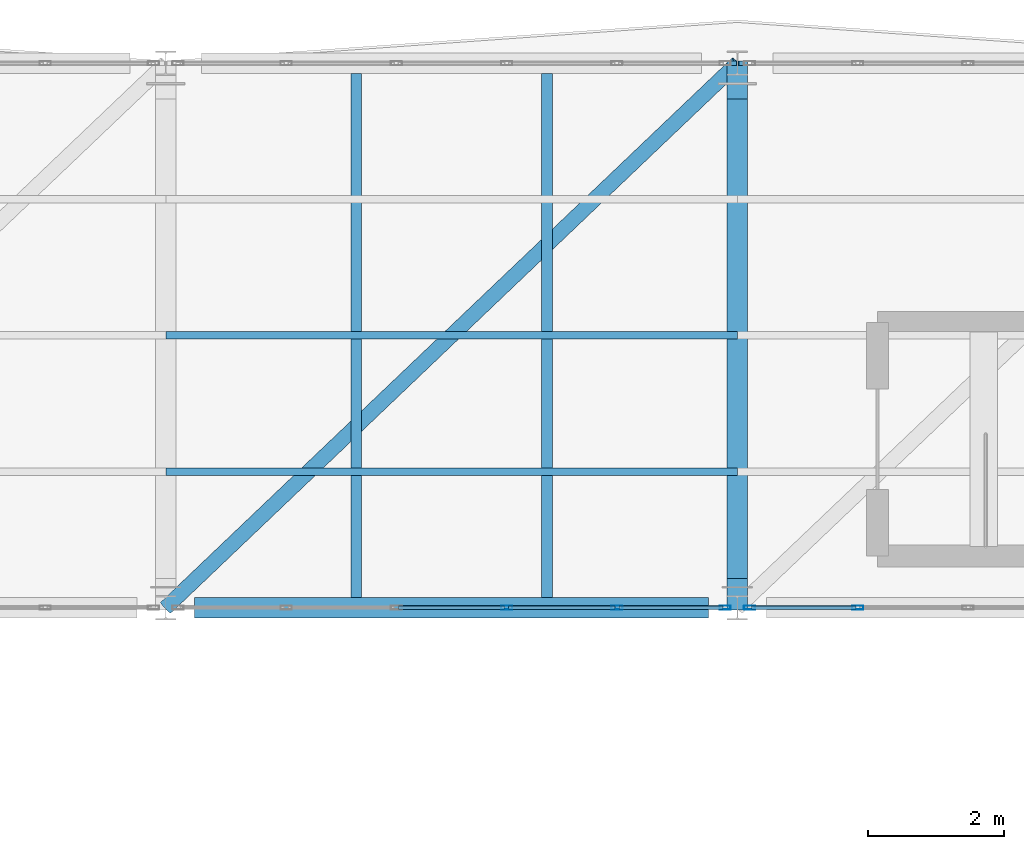
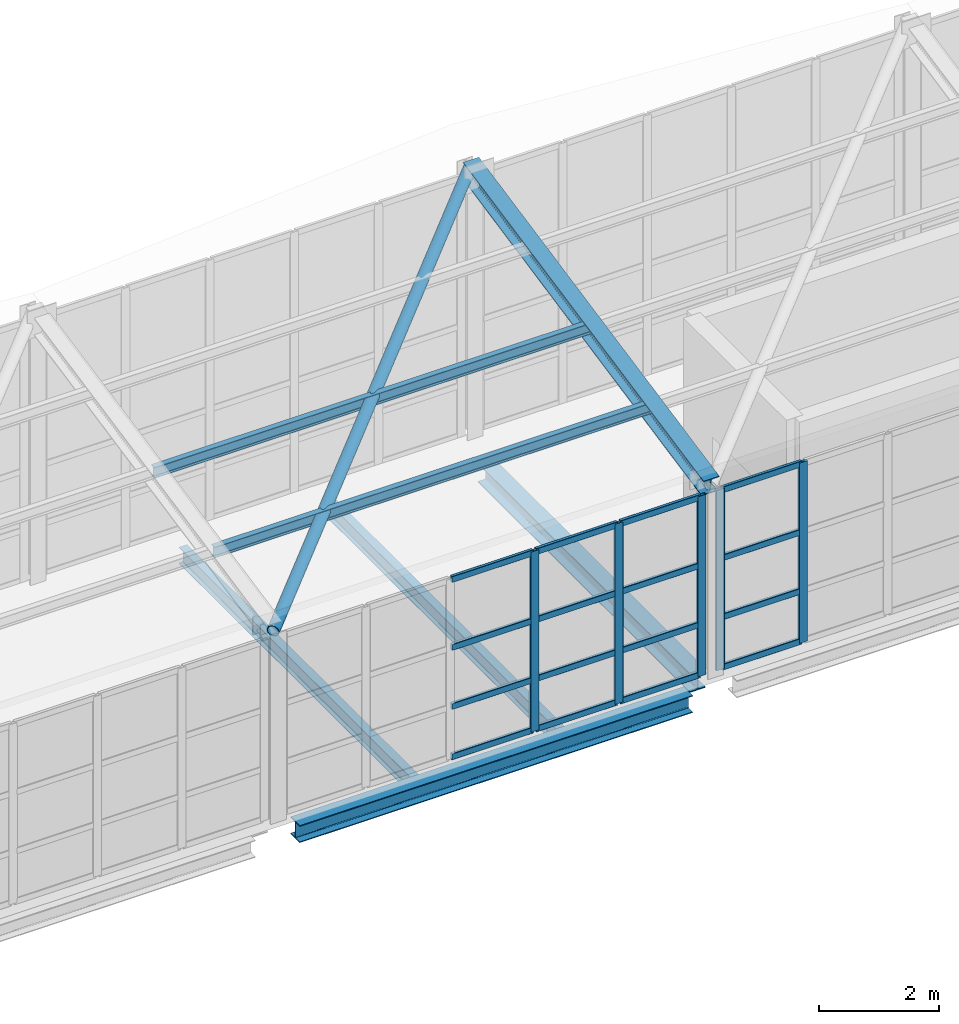
# One storey, part 107 of 177: 25 members, 4 beams, 2 elements without a shape of their own.
"""IFC4 building model written with IfcOpenShell, lengths in metres."""

from ifc_helpers import new_model, si_unit, direction, frame, origin, origin_2d, place, context, subcontext, project, spatial, hollow_rectangle, hollow_circle, i_section, extrude, material, layer, layer_set, material_profile, profile_set, type_object, element, aggregate, save


model = new_model("IFC4")

# Units and contexts
model_context = context("Model", 3, precision=1e-05, world=origin(), true_north=direction((0.0, 1.0)))
body_context = subcontext(model_context, "Body", "Model", "MODEL_VIEW")
ifc_project = project(units=[si_unit("LENGTHUNIT", "METRE"), si_unit("AREAUNIT", "SQUARE_METRE"), si_unit("VOLUMEUNIT", "CUBIC_METRE"), si_unit("PLANEANGLEUNIT", "RADIAN"), si_unit("MASSUNIT", "GRAM", prefix="KILO"), si_unit("THERMODYNAMICTEMPERATUREUNIT", "KELVIN"), si_unit("POWERUNIT", "WATT")], contexts=[model_context])

# Site, building, storey
site_placement = place(None, origin())
site = spatial("IfcSite", under=ifc_project, at=site_placement, CompositionType="ELEMENT")
building_placement = place(site_placement, origin())
building = spatial("IfcBuilding", under=site, at=building_placement, Name="Mavoryth Pier Ferry Terminal", CompositionType="ELEMENT")
storey_placement = place(building_placement, frame((0.0, 0.0, 5.43994140625)))
storey = spatial("IfcBuildingStorey", under=building, at=storey_placement, Name="L01", CompositionType="ELEMENT", Elevation=5.43994140625)

# Beam
ifc_material_1 = material(Name="Steel S355J2", Category="steel")
ifc_material_profile_1 = material_profile(ifc_material_1, i_section(OverallWidth=0.300048828125, OverallDepth=0.389892578125, WebThickness=0.010986328125, FlangeThickness=0.01904296875, FilletRadius=0.027099609375, at=origin_2d()), Name="HEA 400", Category="steel")
ifc_profile_set_1 = profile_set([ifc_material_profile_1], Name="Steel S355J2 - HEA 400")
beam_type_1 = type_object("IfcBeamType", Name="Beam-Steel-HEA400", PredefinedType="BEAM", material=ifc_profile_set_1)
beam_1_placement = place(storey_placement, frame((126.0, 106.425048828125, -0.43505859375), z_axis=(0.0, 1.0, 0.0), x_axis=(-1.0, 0.0, 0.0)))
element("IfcBeam", 1, at=beam_1_placement, inside=storey, type_object=beam_type_1, Name="Beam B01-SB04-0287", PredefinedType="BEAM", context=body_context, shape_type="SweptSolid", body=[
    extrude(i_section(OverallWidth=0.300048828125, OverallDepth=0.389892578125, WebThickness=0.010986328125, FlangeThickness=0.01904296875, FilletRadius=0.027099609375, at=origin_2d()), origin(), (0.0, 0.0, 1.0), 7.050048828125),
])

# Member
ifc_material_profile_2 = material_profile(ifc_material_1, hollow_circle(Radius=0.109619140625, WallThickness=0.010009765625, at=origin_2d()), Name="CHS 219.1x10.0", Category="steel")
ifc_profile_set_2 = profile_set([ifc_material_profile_2], Name="Steel S355J2 - CHS 219.1x10.0")
member_type_1 = type_object("IfcMemberType", Name="Brace-Diag-CHS219", PredefinedType="BRACE", material=ifc_profile_set_2)
member_1_placement = place(storey_placement, frame((117.60009765625, 106.0, 3.771240234375), z_axis=(0.717108654399, 0.682968563255, 0.138957257423), x_axis=(-0.689659376744, 0.724133926887, 0.0)))
element("IfcMember", 2, at=member_1_placement, inside=storey, type_object=member_type_1, Name="Steel Member MB-L01-0285", PredefinedType="BRACE", context=body_context, shape_type="SweptSolid", body=[
    extrude(hollow_circle(Radius=0.109619140625, WallThickness=0.010009765625, at=origin_2d()), origin(), (0.0, 0.0, 1.0), 11.713623046875),
])

# Beams
ifc_material_profile_3 = material_profile(ifc_material_1, i_section(OverallWidth=0.159912109375, OverallDepth=0.330078125, WebThickness=0.007568359375, FlangeThickness=0.011474609375, FilletRadius=0.01806640625, at=origin_2d()), Name="IPE 330", Category="steel")
ifc_profile_set_3 = profile_set([ifc_material_profile_3], Name="Steel S355J2 - IPE 330")
beam_type_2 = type_object("IfcBeamType", Name="Joist-Steel-IPE330", PredefinedType="JOIST", material=ifc_profile_set_3)
for number, where, z_axis, x_axis, name in (
    (3, (120.39990234375, 106.14990234375, -0.405029296875), (0.0, 1.0, 0.0), (-1.0, 0.0, 0.0), "Beam B01-SJ03-0305"),
    (4, (123.199951171875, 106.14990234375, -0.405029296875), (0.0, 1.0, 0.0), (-1.0, 0.0, 0.0), "Beam B01-SJ03-0306"),
):
    element("IfcBeam", number, at=place(storey_placement, frame(where, z_axis=z_axis, x_axis=x_axis)), inside=storey, type_object=beam_type_2, Name=name, PredefinedType="JOIST", context=body_context, shape_type="SweptSolid", body=[
        extrude(i_section(OverallWidth=0.159912109375, OverallDepth=0.330078125, WebThickness=0.007568359375, FlangeThickness=0.011474609375, FilletRadius=0.01806640625, at=origin_2d()), origin(), (0.0, 0.0, 1.0), 7.7001953125),
    ])

# Curtain wall, members
ifc_material_2 = material(Name="Anodised Aluminium and Solar-Control Low-E Glass", Category="aluminium")
ifc_layer = layer(ifc_material_2, 0.139892578125, Name="Anodised Aluminium and Solar-Control Low-E Glass", Category="aluminium")
ifc_layer_set = layer_set([ifc_layer], Name="Anodised Aluminium and Solar-Control Low-E Glass - CW-Gallery-Mod1600")
curtain_wall_type = type_object("IfcCurtainWallType", Name="CW-Gallery-Mod1600", PredefinedType="USERDEFINED", material=ifc_layer_set)
curtain_wall_1_placement = place(storey_placement, origin())
curtain_wall_1 = element("IfcCurtainWall", 5, at=curtain_wall_1_placement, inside=storey, type_object=curtain_wall_type, Name="Curtain Wall CW-0122-089", ObjectType="UNITISED CURTAIN WALL", PredefinedType="USERDEFINED")
ifc_material_3 = material(Name="Anodised Aluminium EN AW-6063", Category="aluminium")
ifc_material_profile_4 = material_profile(ifc_material_3, hollow_rectangle(XDim=0.06005859375, YDim=0.1650390625, WallThickness=0.00390625, InnerFilletRadius=0.00390625, OuterFilletRadius=0.008056640625, at=origin_2d()), Name="AL-MULL 165x60x4", Category="aluminium")
ifc_profile_set_4 = profile_set([ifc_material_profile_4], Name="Anodised Aluminium EN AW-6063 - AL-MULL 165x60x4")
member_type_2 = type_object("IfcMemberType", Name="Mullion-Alum-165x60", PredefinedType="MULLION", material=ifc_profile_set_4)
member_2_placement = place(storey_placement, frame((122.610107421875, 106.0, 0.0), z_axis=(0.0, 0.0, 1.0), x_axis=(0.0, 1.0, 0.0)))
member_2 = element("IfcMember", 6, at=member_2_placement, type_object=member_type_2, Name="CW05 mullion 4", PredefinedType="MULLION", context=body_context, shape_type="SweptSolid", body=[
    extrude(hollow_rectangle(XDim=0.06005859375, YDim=0.1650390625, WallThickness=0.00390625, InnerFilletRadius=0.00390625, OuterFilletRadius=0.008056640625, at=origin_2d()), origin(), (0.0, 0.0, 1.0), 3.66015625),
])
member_3_placement = place(storey_placement, frame((124.22998046875, 106.0, 0.0), z_axis=(0.0, 0.0, 1.0), x_axis=(0.0, 1.0, 0.0)))
member_3 = element("IfcMember", 7, at=member_3_placement, type_object=member_type_2, Name="CW05 mullion 5", PredefinedType="MULLION", context=body_context, shape_type="SweptSolid", body=[
    extrude(hollow_rectangle(XDim=0.06005859375, YDim=0.1650390625, WallThickness=0.00390625, InnerFilletRadius=0.00390625, OuterFilletRadius=0.008056640625, at=origin_2d()), origin(), (0.0, 0.0, 1.0), 3.66015625),
])
member_4_placement = place(storey_placement, frame((125.820068359375, 106.0, 0.0), z_axis=(0.0, 0.0, 1.0), x_axis=(0.0, 1.0, 0.0)))
member_4 = element("IfcMember", 8, at=member_4_placement, type_object=member_type_2, Name="CW05 mullion 6", PredefinedType="MULLION", context=body_context, shape_type="SweptSolid", body=[
    extrude(hollow_rectangle(XDim=0.06005859375, YDim=0.1650390625, WallThickness=0.00390625, InnerFilletRadius=0.00390625, OuterFilletRadius=0.008056640625, at=origin_2d()), origin(), (0.0, 0.0, 1.0), 3.66015625),
])

curtain_wall_2_placement = place(storey_placement, origin())
curtain_wall_2 = element("IfcCurtainWall", 9, at=curtain_wall_2_placement, inside=storey, type_object=curtain_wall_type, Name="Curtain Wall CW-0122-091", ObjectType="UNITISED CURTAIN WALL", PredefinedType="USERDEFINED")
member_5_placement = place(storey_placement, frame((126.179931640625, 106.0, 0.0), z_axis=(0.0, 0.0, 1.0), x_axis=(0.0, 1.0, 0.0)))
member_5 = element("IfcMember", 10, at=member_5_placement, type_object=member_type_2, Name="CW05 mullion 1", PredefinedType="MULLION", context=body_context, shape_type="SweptSolid", body=[
    extrude(hollow_rectangle(XDim=0.06005859375, YDim=0.1650390625, WallThickness=0.00390625, InnerFilletRadius=0.00390625, OuterFilletRadius=0.008056640625, at=origin_2d()), origin(), (0.0, 0.0, 1.0), 3.66015625),
])
member_6_placement = place(storey_placement, frame((127.77001953125, 106.0, 0.0), z_axis=(0.0, 0.0, 1.0), x_axis=(0.0, 1.0, 0.0)))
member_6 = element("IfcMember", 11, at=member_6_placement, type_object=member_type_2, Name="CW05 mullion 2", PredefinedType="MULLION", context=body_context, shape_type="SweptSolid", body=[
    extrude(hollow_rectangle(XDim=0.06005859375, YDim=0.1650390625, WallThickness=0.00390625, InnerFilletRadius=0.00390625, OuterFilletRadius=0.008056640625, at=origin_2d()), origin(), (0.0, 0.0, 1.0), 3.66015625),
])

# Members
ifc_material_profile_5 = material_profile(ifc_material_1, i_section(OverallWidth=0.110107421875, OverallDepth=0.219970703125, WebThickness=0.005859375, FlangeThickness=0.00927734375, FilletRadius=0.011962890625, at=origin_2d()), Name="IPE 220", Category="steel")
ifc_profile_set_5 = profile_set([ifc_material_profile_5], Name="Steel S355J2 - IPE 220")
member_type_3 = type_object("IfcMemberType", Name="Purlin-Roof-IPE220", PredefinedType="PURLIN", material=ifc_profile_set_5)
for number, where, z_axis, x_axis, name in (
    (12, (117.60009765625, 108.0, 4.17822265625), (1.0, 0.0, 0.0), (0.0, 1.0, 0.0), "Steel Member MB-L01-0282"),
    (13, (117.60009765625, 110.0, 4.5849609375), (1.0, 0.0, 0.0), (0.0, 1.0, 0.0), "Steel Member MB-L01-0283"),
):
    element("IfcMember", number, at=place(storey_placement, frame(where, z_axis=z_axis, x_axis=x_axis)), inside=storey, type_object=member_type_3, Name=name, PredefinedType="PURLIN", context=body_context, shape_type="SweptSolid", body=[
        extrude(i_section(OverallWidth=0.110107421875, OverallDepth=0.219970703125, WebThickness=0.005859375, FlangeThickness=0.00927734375, FilletRadius=0.011962890625, at=origin_2d()), origin(), (0.0, 0.0, 1.0), 8.39990234375),
    ])
ifc_material_profile_6 = material_profile(ifc_material_1, i_section(OverallWidth=0.300048828125, OverallDepth=0.35009765625, WebThickness=0.010009765625, FlangeThickness=0.017578125, FilletRadius=0.027099609375, at=origin_2d()), Name="HEA 360", Category="steel")
ifc_profile_set_6 = profile_set([ifc_material_profile_6], Name="Steel S355J2 - HEA 360")
member_type_4 = type_object("IfcMemberType", Name="Rafter-Gallery-HEA360", PredefinedType="RAFTER", material=ifc_profile_set_6)
member_7_placement = place(storey_placement, frame((126.0, 106.0, 3.771240234375), z_axis=(0.0, 0.979923097627, 0.199375832882), x_axis=(-1.0, 0.0, 0.0)))
element("IfcMember", 14, at=member_7_placement, inside=storey, type_object=member_type_4, Name="Steel Member MB-L01-0246", PredefinedType="RAFTER", context=body_context, shape_type="SweptSolid", body=[
    extrude(i_section(OverallWidth=0.300048828125, OverallDepth=0.35009765625, WebThickness=0.010009765625, FlangeThickness=0.017578125, FilletRadius=0.027099609375, at=origin_2d()), origin(), (0.0, 0.0, 1.0), 8.163818359375),
])

# Beam
ifc_material_profile_7 = material_profile(ifc_material_1, i_section(OverallWidth=0.300048828125, OverallDepth=0.35009765625, WebThickness=0.010009765625, FlangeThickness=0.017578125, FilletRadius=0.027099609375, at=origin_2d()), Name="HEA 360", Category="steel")
ifc_profile_set_7 = profile_set([ifc_material_profile_7], Name="Steel S355J2 - HEA 360")
beam_type_3 = type_object("IfcBeamType", Name="Spandrel-Steel-HEA360", PredefinedType="SPANDREL", material=ifc_profile_set_7)
beam_2_placement = place(storey_placement, frame((118.02490234375, 106.0, -0.4150390625), z_axis=(1.0, 0.0, 0.0), x_axis=(0.0, 1.0, 0.0)))
element("IfcBeam", 15, at=beam_2_placement, inside=storey, type_object=beam_type_3, Name="Beam B01-SP03-0262", PredefinedType="SPANDREL", context=body_context, shape_type="SweptSolid", body=[
    extrude(i_section(OverallWidth=0.300048828125, OverallDepth=0.35009765625, WebThickness=0.010009765625, FlangeThickness=0.017578125, FilletRadius=0.027099609375, at=origin_2d()), origin(), (0.0, 0.0, 1.0), 7.550048828125),
])

# Member
ifc_material_profile_8 = material_profile(ifc_material_3, hollow_rectangle(XDim=0.06005859375, YDim=0.125, WallThickness=0.00390625, InnerFilletRadius=0.00390625, OuterFilletRadius=0.008056640625, at=origin_2d()), Name="AL-TRAN 125x60x4", Category="aluminium")
ifc_profile_set_8 = profile_set([ifc_material_profile_8], Name="Anodised Aluminium EN AW-6063 - AL-TRAN 125x60x4")
member_type_5 = type_object("IfcMemberType", Name="Transom-Alum-125x60", PredefinedType="USERDEFINED", material=ifc_profile_set_8)
member_8_placement = place(storey_placement, frame((121.02001953125, 106.0, 0.030029296875), z_axis=(1.0, 0.0, 0.0), x_axis=(0.0, 1.0, 0.0)))
member_8 = element("IfcMember", 16, at=member_8_placement, type_object=member_type_5, Name="CW05 transom 3.1", ObjectType="TRANSOM", PredefinedType="USERDEFINED", context=body_context, shape_type="SweptSolid", body=[
    extrude(hollow_rectangle(XDim=0.06005859375, YDim=0.125, WallThickness=0.00390625, InnerFilletRadius=0.00390625, OuterFilletRadius=0.008056640625, at=origin_2d()), origin(), (0.0, 0.0, 1.0), 1.56005859375),
])

member_9_placement = place(storey_placement, frame((121.02001953125, 106.0, 1.050048828125), z_axis=(1.0, 0.0, 0.0), x_axis=(0.0, 1.0, 0.0)))
member_9 = element("IfcMember", 17, at=member_9_placement, type_object=member_type_5, Name="CW05 transom 3.2", ObjectType="TRANSOM", PredefinedType="USERDEFINED", context=body_context, shape_type="SweptSolid", body=[
    extrude(hollow_rectangle(XDim=0.06005859375, YDim=0.125, WallThickness=0.00390625, InnerFilletRadius=0.00390625, OuterFilletRadius=0.008056640625, at=origin_2d()), origin(), (0.0, 0.0, 1.0), 1.56005859375),
])

member_10_placement = place(storey_placement, frame((121.02001953125, 106.0, 2.25), z_axis=(1.0, 0.0, 0.0), x_axis=(0.0, 1.0, 0.0)))
member_10 = element("IfcMember", 18, at=member_10_placement, type_object=member_type_5, Name="CW05 transom 3.3", ObjectType="TRANSOM", PredefinedType="USERDEFINED", context=body_context, shape_type="SweptSolid", body=[
    extrude(hollow_rectangle(XDim=0.06005859375, YDim=0.125, WallThickness=0.00390625, InnerFilletRadius=0.00390625, OuterFilletRadius=0.008056640625, at=origin_2d()), origin(), (0.0, 0.0, 1.0), 1.56005859375),
])

member_11_placement = place(storey_placement, frame((121.02001953125, 106.0, 3.630126953125), z_axis=(1.0, 0.0, 0.0), x_axis=(0.0, 1.0, 0.0)))
member_11 = element("IfcMember", 19, at=member_11_placement, type_object=member_type_5, Name="CW05 transom 3.4", ObjectType="TRANSOM", PredefinedType="USERDEFINED", context=body_context, shape_type="SweptSolid", body=[
    extrude(hollow_rectangle(XDim=0.06005859375, YDim=0.125, WallThickness=0.00390625, InnerFilletRadius=0.00390625, OuterFilletRadius=0.008056640625, at=origin_2d()), origin(), (0.0, 0.0, 1.0), 1.56005859375),
])

member_12_placement = place(storey_placement, frame((122.639892578125, 106.0, 0.030029296875), z_axis=(1.0, 0.0, 0.0), x_axis=(0.0, 1.0, 0.0)))
member_12 = element("IfcMember", 20, at=member_12_placement, type_object=member_type_5, Name="CW05 transom 4.1", ObjectType="TRANSOM", PredefinedType="USERDEFINED", context=body_context, shape_type="SweptSolid", body=[
    extrude(hollow_rectangle(XDim=0.06005859375, YDim=0.125, WallThickness=0.00390625, InnerFilletRadius=0.00390625, OuterFilletRadius=0.008056640625, at=origin_2d()), origin(), (0.0, 0.0, 1.0), 1.56005859375),
])

member_13_placement = place(storey_placement, frame((122.639892578125, 106.0, 1.050048828125), z_axis=(1.0, 0.0, 0.0), x_axis=(0.0, 1.0, 0.0)))
member_13 = element("IfcMember", 21, at=member_13_placement, type_object=member_type_5, Name="CW05 transom 4.2", ObjectType="TRANSOM", PredefinedType="USERDEFINED", context=body_context, shape_type="SweptSolid", body=[
    extrude(hollow_rectangle(XDim=0.06005859375, YDim=0.125, WallThickness=0.00390625, InnerFilletRadius=0.00390625, OuterFilletRadius=0.008056640625, at=origin_2d()), origin(), (0.0, 0.0, 1.0), 1.56005859375),
])

member_14_placement = place(storey_placement, frame((122.639892578125, 106.0, 2.25), z_axis=(1.0, 0.0, 0.0), x_axis=(0.0, 1.0, 0.0)))
member_14 = element("IfcMember", 22, at=member_14_placement, type_object=member_type_5, Name="CW05 transom 4.3", ObjectType="TRANSOM", PredefinedType="USERDEFINED", context=body_context, shape_type="SweptSolid", body=[
    extrude(hollow_rectangle(XDim=0.06005859375, YDim=0.125, WallThickness=0.00390625, InnerFilletRadius=0.00390625, OuterFilletRadius=0.008056640625, at=origin_2d()), origin(), (0.0, 0.0, 1.0), 1.56005859375),
])

member_15_placement = place(storey_placement, frame((122.639892578125, 106.0, 3.630126953125), z_axis=(1.0, 0.0, 0.0), x_axis=(0.0, 1.0, 0.0)))
member_15 = element("IfcMember", 23, at=member_15_placement, type_object=member_type_5, Name="CW05 transom 4.4", ObjectType="TRANSOM", PredefinedType="USERDEFINED", context=body_context, shape_type="SweptSolid", body=[
    extrude(hollow_rectangle(XDim=0.06005859375, YDim=0.125, WallThickness=0.00390625, InnerFilletRadius=0.00390625, OuterFilletRadius=0.008056640625, at=origin_2d()), origin(), (0.0, 0.0, 1.0), 1.56005859375),
])

member_16_placement = place(storey_placement, frame((124.260009765625, 106.0, 0.030029296875), z_axis=(1.0, 0.0, 0.0), x_axis=(0.0, 1.0, 0.0)))
member_16 = element("IfcMember", 24, at=member_16_placement, type_object=member_type_5, Name="CW05 transom 5.1", ObjectType="TRANSOM", PredefinedType="USERDEFINED", context=body_context, shape_type="SweptSolid", body=[
    extrude(hollow_rectangle(XDim=0.06005859375, YDim=0.125, WallThickness=0.00390625, InnerFilletRadius=0.00390625, OuterFilletRadius=0.008056640625, at=origin_2d()), origin(), (0.0, 0.0, 1.0), 1.530029296875),
])

member_17_placement = place(storey_placement, frame((124.260009765625, 106.0, 1.050048828125), z_axis=(1.0, 0.0, 0.0), x_axis=(0.0, 1.0, 0.0)))
member_17 = element("IfcMember", 25, at=member_17_placement, type_object=member_type_5, Name="CW05 transom 5.2", ObjectType="TRANSOM", PredefinedType="USERDEFINED", context=body_context, shape_type="SweptSolid", body=[
    extrude(hollow_rectangle(XDim=0.06005859375, YDim=0.125, WallThickness=0.00390625, InnerFilletRadius=0.00390625, OuterFilletRadius=0.008056640625, at=origin_2d()), origin(), (0.0, 0.0, 1.0), 1.530029296875),
])

member_18_placement = place(storey_placement, frame((124.260009765625, 106.0, 2.25), z_axis=(1.0, 0.0, 0.0), x_axis=(0.0, 1.0, 0.0)))
member_18 = element("IfcMember", 26, at=member_18_placement, type_object=member_type_5, Name="CW05 transom 5.3", ObjectType="TRANSOM", PredefinedType="USERDEFINED", context=body_context, shape_type="SweptSolid", body=[
    extrude(hollow_rectangle(XDim=0.06005859375, YDim=0.125, WallThickness=0.00390625, InnerFilletRadius=0.00390625, OuterFilletRadius=0.008056640625, at=origin_2d()), origin(), (0.0, 0.0, 1.0), 1.530029296875),
])

member_19_placement = place(storey_placement, frame((124.260009765625, 106.0, 3.630126953125), z_axis=(1.0, 0.0, 0.0), x_axis=(0.0, 1.0, 0.0)))
member_19 = element("IfcMember", 27, at=member_19_placement, type_object=member_type_5, Name="CW05 transom 5.4", ObjectType="TRANSOM", PredefinedType="USERDEFINED", context=body_context, shape_type="SweptSolid", body=[
    extrude(hollow_rectangle(XDim=0.06005859375, YDim=0.125, WallThickness=0.00390625, InnerFilletRadius=0.00390625, OuterFilletRadius=0.008056640625, at=origin_2d()), origin(), (0.0, 0.0, 1.0), 1.530029296875),
])

aggregate(curtain_wall_1, [member_2, member_3, member_4, member_8, member_9, member_10, member_11, member_12, member_13, member_14, member_15, member_16, member_17, member_18, member_19])

member_20_placement = place(storey_placement, frame((126.2099609375, 106.0, 0.030029296875), z_axis=(1.0, 0.0, 0.0), x_axis=(0.0, 1.0, 0.0)))
member_20 = element("IfcMember", 28, at=member_20_placement, type_object=member_type_5, Name="CW05 transom 1.1", ObjectType="TRANSOM", PredefinedType="USERDEFINED", context=body_context, shape_type="SweptSolid", body=[
    extrude(hollow_rectangle(XDim=0.06005859375, YDim=0.125, WallThickness=0.00390625, InnerFilletRadius=0.00390625, OuterFilletRadius=0.008056640625, at=origin_2d()), origin(), (0.0, 0.0, 1.0), 1.530029296875),
])

member_21_placement = place(storey_placement, frame((126.2099609375, 106.0, 1.050048828125), z_axis=(1.0, 0.0, 0.0), x_axis=(0.0, 1.0, 0.0)))
member_21 = element("IfcMember", 29, at=member_21_placement, type_object=member_type_5, Name="CW05 transom 1.2", ObjectType="TRANSOM", PredefinedType="USERDEFINED", context=body_context, shape_type="SweptSolid", body=[
    extrude(hollow_rectangle(XDim=0.06005859375, YDim=0.125, WallThickness=0.00390625, InnerFilletRadius=0.00390625, OuterFilletRadius=0.008056640625, at=origin_2d()), origin(), (0.0, 0.0, 1.0), 1.530029296875),
])

member_22_placement = place(storey_placement, frame((126.2099609375, 106.0, 2.25), z_axis=(1.0, 0.0, 0.0), x_axis=(0.0, 1.0, 0.0)))
member_22 = element("IfcMember", 30, at=member_22_placement, type_object=member_type_5, Name="CW05 transom 1.3", ObjectType="TRANSOM", PredefinedType="USERDEFINED", context=body_context, shape_type="SweptSolid", body=[
    extrude(hollow_rectangle(XDim=0.06005859375, YDim=0.125, WallThickness=0.00390625, InnerFilletRadius=0.00390625, OuterFilletRadius=0.008056640625, at=origin_2d()), origin(), (0.0, 0.0, 1.0), 1.530029296875),
])

member_23_placement = place(storey_placement, frame((126.2099609375, 106.0, 3.630126953125), z_axis=(1.0, 0.0, 0.0), x_axis=(0.0, 1.0, 0.0)))
member_23 = element("IfcMember", 31, at=member_23_placement, type_object=member_type_5, Name="CW05 transom 1.4", ObjectType="TRANSOM", PredefinedType="USERDEFINED", context=body_context, shape_type="SweptSolid", body=[
    extrude(hollow_rectangle(XDim=0.06005859375, YDim=0.125, WallThickness=0.00390625, InnerFilletRadius=0.00390625, OuterFilletRadius=0.008056640625, at=origin_2d()), origin(), (0.0, 0.0, 1.0), 1.530029296875),
])

aggregate(curtain_wall_2, [member_5, member_6, member_20, member_21, member_22, member_23])

save(model, "model.ifc")
